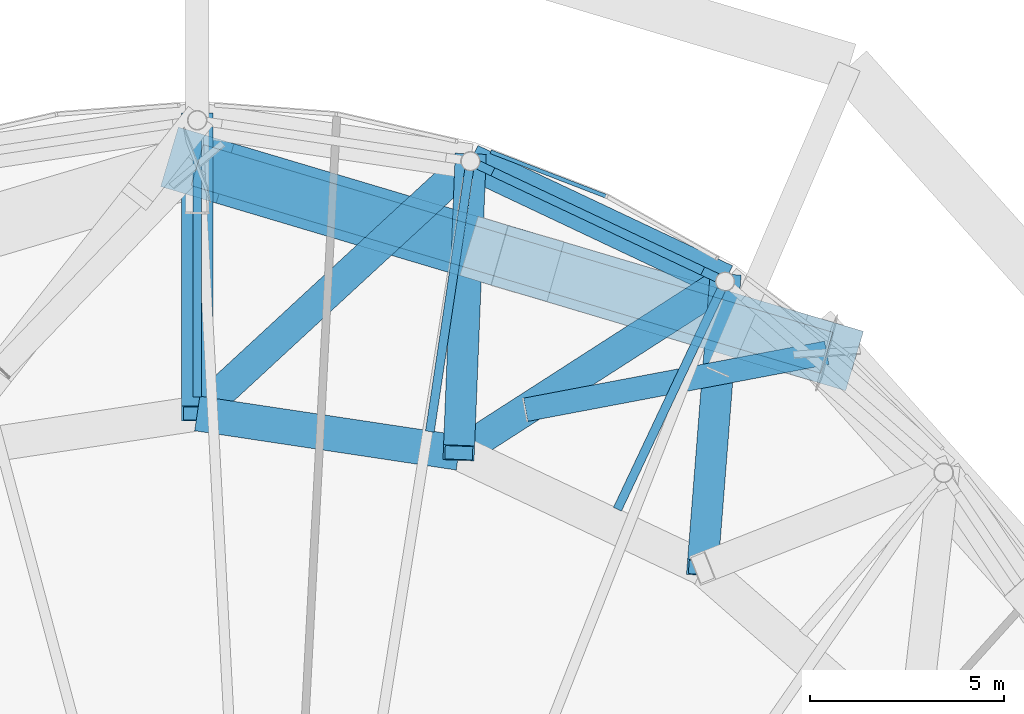
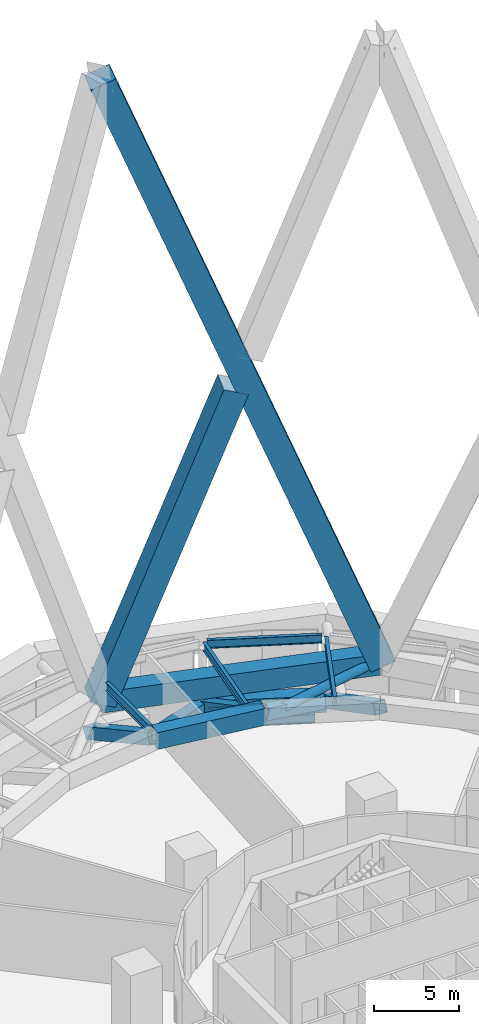
# One storey, part 45 of 65: 12 beams, 5 members, 1 element without a shape of its own.
"""IFC4 building model written with IfcOpenShell, lengths in metres."""

from ifc_helpers import new_model, si_unit, direction, frame, origin, origin_2d, place, context, subcontext, project, spatial, rectangle, hollow_rectangle, hollow_circle, i_section, extrude, material, layer, layer_set, material_profile, profile_set, type_object, element, aggregate, save


model = new_model("IFC4")

# Units and contexts
model_context = context("Model", 3, precision=1e-05, world=origin(), true_north=direction((0.0, 1.0)))
body_context = subcontext(model_context, "Body", "Model", "MODEL_VIEW")
ifc_project = project(units=[si_unit("LENGTHUNIT", "METRE"), si_unit("AREAUNIT", "SQUARE_METRE"), si_unit("VOLUMEUNIT", "CUBIC_METRE"), si_unit("PLANEANGLEUNIT", "RADIAN"), si_unit("MASSUNIT", "GRAM", prefix="KILO")], contexts=[model_context])

# Site, building, storey
site_placement = place(None, origin())
site = spatial("IfcSite", under=ifc_project, at=site_placement, CompositionType="ELEMENT")
building_placement = place(site_placement, origin())
building = spatial("IfcBuilding", under=site, at=building_placement, Name="Nagisa Residences", CompositionType="ELEMENT")
storey_placement = place(building_placement, frame((0.0, 0.0, 114.0)))
storey = spatial("IfcBuildingStorey", under=building, at=storey_placement, Name="L28", CompositionType="ELEMENT", Elevation=114.0)

# Beams
ifc_material_1 = material(Name="Steel ASTM A572 Gr 50", Category="steel")
ifc_material_profile_1 = material_profile(ifc_material_1, hollow_rectangle(XDim=0.89990234375, YDim=1.199951171875, WallThickness=0.050048828125, at=origin_2d()), Name="BX 900x1200x50")
ifc_profile_set_1 = profile_set([ifc_material_profile_1], Name="Steel ASTM A572 Gr 50")
beam_type_1 = type_object("IfcBeamType", Name="Belt chord 2 BX 900x1200x50", PredefinedType="BEAM", material=ifc_profile_set_1)
beam_1_placement = place(storey_placement, frame((11.797607421875, 29.9775390625, 0.60009765625), z_axis=(-0.904193048846, 0.427124022292, 0.0), x_axis=(-0.427124022292, -0.904193048846, 0.0)))
element("IfcBeam", 1, at=beam_1_placement, inside=storey, type_object=beam_type_1, Name="beam:L28:bt2b05", PredefinedType="BEAM", context=body_context, shape_type="SweptSolid", body=[
    extrude(hollow_rectangle(XDim=0.89990234375, YDim=1.199951171875, WallThickness=0.050048828125, at=origin_2d()), origin(), (0.0, 0.0, 1.0), 7.254150390625),
])
beam_2_placement = place(storey_placement, frame((4.938232421875, 25.5654296875, 4.739990234375), z_axis=(-0.988910056119, 0.14851565879, 0.0), x_axis=(-0.14851565879, -0.988910056119, 0.0)))
element("IfcBeam", 2, at=beam_2_placement, inside=storey, type_object=beam_type_1, Name="beam:L28:bt2t06", PredefinedType="BEAM", context=body_context, shape_type="SweptSolid", body=[
    extrude(hollow_rectangle(XDim=0.89990234375, YDim=1.199951171875, WallThickness=0.050048828125, at=origin_2d()), origin(), (0.0, 0.0, 1.0), 6.81396484375),
])
ifc_material_2 = material(Name="Steel ASTM A572 Gr 50", Category="steel")
ifc_material_profile_2 = material_profile(ifc_material_2, hollow_rectangle(XDim=0.800048828125, YDim=0.800048828125, WallThickness=0.044921875, at=origin_2d()), Name="BX 800x800x45")
ifc_profile_set_2 = profile_set([ifc_material_profile_2], Name="Steel ASTM A572 Gr 50")
beam_type_2 = type_object("IfcBeamType", Name="Belt diagonal 2 BX 800x800x45", PredefinedType="BEAM", material=ifc_profile_set_2)
beam_3_placement = place(storey_placement, frame((11.797607421875, 29.9775390625, 0.60009765625), z_axis=(-0.068400942294, -0.870068046701, 0.488162785558), x_axis=(0.996924042545, -0.078373805548, 0.0)))
element("IfcBeam", 3, at=beam_3_placement, inside=storey, type_object=beam_type_2, Name="beam:L28:bt2da05", PredefinedType="BEAM", context=body_context, shape_type="SweptSolid", body=[
    extrude(hollow_rectangle(XDim=0.800048828125, YDim=0.800048828125, WallThickness=0.044921875, at=origin_2d()), origin(), (0.0, 0.0, 1.0), 8.48046875),
])
beam_4_placement = place(storey_placement, frame((11.797607421875, 29.9775390625, 0.60009765625), z_axis=(-0.749954375746, -0.482388079388, 0.452625866654), x_axis=(0.540975435478, -0.841038392827, 0.0)))
element("IfcBeam", 4, at=beam_4_placement, inside=storey, type_object=beam_type_2, Name="beam:L28:bt2db05", PredefinedType="BEAM", context=body_context, shape_type="SweptSolid", body=[
    extrude(hollow_rectangle(XDim=0.800048828125, YDim=0.800048828125, WallThickness=0.044921875, at=origin_2d()), origin(), (0.0, 0.0, 1.0), 9.146484375),
])
beam_5_placement = place(storey_placement, frame((5.238525390625, 33.075927734375, 0.60009765625), z_axis=(-0.034994411211, -0.875230139904, 0.482439212117), x_axis=(0.999201633097, -0.039951175396, 0.0)))
element("IfcBeam", 5, at=beam_5_placement, inside=storey, type_object=beam_type_2, Name="beam:L28:bt2da06", PredefinedType="BEAM", context=body_context, shape_type="SweptSolid", body=[
    extrude(hollow_rectangle(XDim=0.800048828125, YDim=0.800048828125, WallThickness=0.044921875, at=origin_2d()), origin(), (0.0, 0.0, 1.0), 8.5810546875),
])
beam_6_placement = place(storey_placement, frame((5.238525390625, 33.075927734375, 0.60009765625), z_axis=(-0.67444793495, -0.622700490201, 0.396691419804), x_axis=(0.678358426429, -0.7347311381, 0.0)))
element("IfcBeam", 6, at=beam_6_placement, inside=storey, type_object=beam_type_2, Name="beam:L28:bt2db06", PredefinedType="BEAM", context=body_context, shape_type="SweptSolid", body=[
    extrude(hollow_rectangle(XDim=0.800048828125, YDim=0.800048828125, WallThickness=0.044921875, at=origin_2d()), origin(), (0.0, 0.0, 1.0), 10.43603515625),
])
beam_7_placement = place(storey_placement, frame((-1.800048828125, 34.1328125, 0.60009765625), z_axis=(0.0, -0.876978848051, 0.480528979429), x_axis=(1.0, 0.0, 0.0)))
element("IfcBeam", 7, at=beam_7_placement, inside=storey, type_object=beam_type_2, Name="beam:L28:bt2da07", PredefinedType="BEAM", context=body_context, shape_type="SweptSolid", body=[
    extrude(hollow_rectangle(XDim=0.800048828125, YDim=0.800048828125, WallThickness=0.044921875, at=origin_2d()), origin(), (0.0, 0.0, 1.0), 8.615234375),
])

# Curtain wall, member
ifc_material_3 = material(Name="Aluminium curtain wall system", Category="aluminium")
ifc_layer = layer(ifc_material_3, 0.159912109375)
ifc_layer_set = layer_set([ifc_layer], Name="CW5 CURTAIN WALL")
curtain_wall_type = type_object("IfcCurtainWallType", Name="CW5 CURTAIN WALL", PredefinedType="NOTDEFINED", material=ifc_layer_set)
curtain_wall_placement = place(storey_placement, origin())
curtain_wall = element("IfcCurtainWall", 8, at=curtain_wall_placement, inside=storey, type_object=curtain_wall_type, Name="cw:CW5:L28:09", PredefinedType="NOTDEFINED")
ifc_material_4 = material(Name="Aluminium", Category="aluminium")
ifc_material_profile_3 = material_profile(ifc_material_4, rectangle(XDim=0.10009765625, YDim=0.1201171875, at=origin_2d()), Name="CW5 TRANSOM 100x120")
ifc_profile_set_3 = profile_set([ifc_material_profile_3], Name="Aluminium")
member_type_1 = type_object("IfcMemberType", Name="CW5 TRANSOM 100x120", PredefinedType="USERDEFINED", material=ifc_profile_set_3)
member_1_placement = place(storey_placement, frame((8.76953125, 32.1591796875, 0.06005859375), z_axis=(-0.932829920428, 0.360316998702, 0.0), x_axis=(-0.360316998702, -0.932829920428, 0.0)))
member_1 = element("IfcMember", 9, at=member_1_placement, type_object=member_type_1, Name="CW5 transom", ObjectType="TRANSOM", PredefinedType="USERDEFINED", context=body_context, shape_type="SweptSolid", body=[
    extrude(rectangle(XDim=0.10009765625, YDim=0.1201171875, at=origin_2d()), origin(), (0.0, 0.0, 1.0), 3.227294921875),
])
aggregate(curtain_wall, [member_1])

# Members
ifc_material_5 = material(Name="Concrete C80", Category="concrete")
ifc_material_profile_4 = material_profile(ifc_material_5, rectangle(XDim=1.60009765625, YDim=1.60009765625, at=origin_2d()), Name="C80 1600x1600")
ifc_profile_set_4 = profile_set([ifc_material_profile_4], Name="Concrete C80")
member_type_2 = type_object("IfcMemberType", Name="Cage diagonal 3 C80 1600x1600", PredefinedType="BRACE", material=ifc_profile_set_4)
member_2_placement = place(storey_placement, frame((14.41748046875, 28.1416015625, 3.699951171875), z_axis=(-0.340638088742, 0.101570425034, 0.93469200342), x_axis=(-0.285744691448, -0.958305781736, 0.0)))
element("IfcMember", 10, at=member_2_placement, inside=storey, type_object=member_type_2, Name="mem:L28:cg3d005", PredefinedType="BRACE", context=body_context, shape_type="SweptSolid", body=[
    extrude(rectangle(XDim=1.60009765625, YDim=1.60009765625, at=origin_2d()), origin(), (0.0, 0.0, 1.0), 47.609375),
])
member_3_placement = place(storey_placement, frame((-1.800048828125, 32.977294921875, 3.699951171875), z_axis=(0.340639402424, -0.101570160833, 0.934691553372), x_axis=(0.285742996868, 0.958306287019, 0.0)))
element("IfcMember", 11, at=member_3_placement, inside=storey, type_object=member_type_2, Name="mem:L28:cg3d006a", PredefinedType="BRACE", context=body_context, shape_type="SweptSolid", body=[
    extrude(rectangle(XDim=1.60009765625, YDim=1.60009765625, at=origin_2d()), origin(), (0.0, 0.0, 1.0), 22.620849609375),
])
ifc_material_6 = material(Name="Concrete C80", Category="concrete")
ifc_material_profile_5 = material_profile(ifc_material_6, rectangle(XDim=1.10009765625, YDim=1.5, at=origin_2d()), Name="C80 1100x1500")
ifc_profile_set_5 = profile_set([ifc_material_profile_5], Name="Concrete C80")
member_type_3 = type_object("IfcMemberType", Name="Cage ring 3 C80 1100x1500", PredefinedType="CHORD", material=ifc_profile_set_5)
member_4_placement = place(storey_placement, frame((14.41748046875, 28.1416015625, 3.699951171875), z_axis=(-0.958305781736, 0.285744691448, 0.0), x_axis=(-0.285744691448, -0.958305781736, 0.0)))
element("IfcMember", 12, at=member_4_placement, inside=storey, type_object=member_type_3, Name="beam:L28:cg3r003", PredefinedType="CHORD", context=body_context, shape_type="SweptSolid", body=[
    extrude(rectangle(XDim=1.10009765625, YDim=1.5, at=origin_2d()), origin(), (0.0, 0.0, 1.0), 16.923095703125),
])
ifc_material_7 = material(Name="Steel ASTM A572 Gr 65", Category="steel")
ifc_material_profile_6 = material_profile(ifc_material_7, hollow_circle(Radius=0.304931640625, WallThickness=0.02490234375, at=origin_2d()), Name="CHS 610x25")
ifc_profile_set_6 = profile_set([ifc_material_profile_6], Name="Steel ASTM A572 Gr 65")
member_type_4 = type_object("IfcMemberType", Name="Cage strut CHS 610x25", PredefinedType="STRUT", material=ifc_profile_set_6)
member_5_placement = place(storey_placement, frame((14.41748046875, 28.1416015625, 3.699951171875), z_axis=(-0.982560931078, -0.185940895768, 0.0), x_axis=(0.185940895768, -0.982560931078, 0.0)))
element("IfcMember", 13, at=member_5_placement, inside=storey, type_object=member_type_4, Name="mem:L28:bt2st3b03", PredefinedType="STRUT", context=body_context, shape_type="SweptSolid", body=[
    extrude(hollow_circle(Radius=0.304931640625, WallThickness=0.02490234375, at=origin_2d()), origin(), (0.0, 0.0, 1.0), 7.893798828125),
])

# Beams
ifc_material_8 = material(Name="Steel ASTM A572 Gr 50", Category="steel")
ifc_material_profile_7 = material_profile(ifc_material_8, i_section(OverallWidth=0.22802734375, OverallDepth=0.60302734375, WebThickness=0.010498046875, FlangeThickness=0.014892578125, at=origin_2d()), Name="W610x101")
ifc_profile_set_7 = profile_set([ifc_material_profile_7], Name="Steel ASTM A572 Gr 50")
beam_type_3 = type_object("IfcBeamType", Name="Garden edge beam W610x101", PredefinedType="BEAM", material=ifc_profile_set_7)
beam_8_placement = place(storey_placement, frame((11.5859375, 30.077392578125, 5.03857421875), z_axis=(-0.904191528317, 0.427127241134, 0.0), x_axis=(-0.427127241134, -0.904191528317, 0.0)))
element("IfcBeam", 14, at=beam_8_placement, inside=storey, type_object=beam_type_3, Name="beam:L28:bt2ge05", PredefinedType="BEAM", context=body_context, shape_type="SweptSolid", body=[
    extrude(i_section(OverallWidth=0.22802734375, OverallDepth=0.60302734375, WebThickness=0.010498046875, FlangeThickness=0.014892578125, at=origin_2d()), origin(), (0.0, 0.0, 1.0), 6.785888671875),
])
ifc_material_9 = material(Name="Steel ASTM A572 Gr 50", Category="steel")
ifc_material_profile_8 = material_profile(ifc_material_9, i_section(OverallWidth=0.22802734375, OverallDepth=0.60302734375, WebThickness=0.010498046875, FlangeThickness=0.014892578125, at=origin_2d()), Name="W610x101")
ifc_profile_set_8 = profile_set([ifc_material_profile_8], Name="Steel ASTM A572 Gr 50")
beam_type_4 = type_object("IfcBeamType", Name="Garden radial beam W610x101", PredefinedType="BEAM", material=ifc_profile_set_8)
beam_9_placement = place(storey_placement, frame((11.697509765625, 29.765869140625, 5.03857421875), z_axis=(-0.427181820924, -0.904165743585, 0.0), x_axis=(0.904165743585, -0.427181820924, 0.0)))
element("IfcBeam", 15, at=beam_9_placement, inside=storey, type_object=beam_type_4, Name="beam:L28:bt2gr05", PredefinedType="BEAM", context=body_context, shape_type="SweptSolid", body=[
    extrude(i_section(OverallWidth=0.22802734375, OverallDepth=0.60302734375, WebThickness=0.010498046875, FlangeThickness=0.014892578125, at=origin_2d()), origin(), (0.0, 0.0, 1.0), 6.255126953125),
])
beam_10_placement = place(storey_placement, frame((5.203857421875, 32.844482421875, 5.03857421875), z_axis=(-0.148507049727, -0.988911349, 0.0), x_axis=(0.988911349, -0.148507049727, 0.0)))
element("IfcBeam", 16, at=beam_10_placement, inside=storey, type_object=beam_type_4, Name="beam:L28:bt2gr06", PredefinedType="BEAM", context=body_context, shape_type="SweptSolid", body=[
    extrude(i_section(OverallWidth=0.22802734375, OverallDepth=0.60302734375, WebThickness=0.010498046875, FlangeThickness=0.014892578125, at=origin_2d()), origin(), (0.0, 0.0, 1.0), 6.8076171875),
])
beam_11_placement = place(storey_placement, frame((-1.800048828125, 33.898681640625, 5.03857421875), z_axis=(0.0, -1.0, 0.0), x_axis=(1.0, 0.0, 0.0)))
element("IfcBeam", 17, at=beam_11_placement, inside=storey, type_object=beam_type_4, Name="beam:L28:bt2gr07", PredefinedType="BEAM", context=body_context, shape_type="SweptSolid", body=[
    extrude(i_section(OverallWidth=0.22802734375, OverallDepth=0.60302734375, WebThickness=0.010498046875, FlangeThickness=0.014892578125, at=origin_2d()), origin(), (0.0, 0.0, 1.0), 6.891357421875),
])
ifc_material_10 = material(Name="Steel ASTM A572 Gr 50", Category="steel")
ifc_material_profile_9 = material_profile(ifc_material_10, i_section(OverallWidth=0.22900390625, OverallDepth=0.612060546875, WebThickness=0.011962890625, FlangeThickness=0.01953125, at=origin_2d()), Name="W610x125")
ifc_profile_set_9 = profile_set([ifc_material_profile_9], Name="Steel ASTM A572 Gr 50")
beam_type_5 = type_object("IfcBeamType", Name="Perimeter ring beam W610x125", PredefinedType="BEAM", material=ifc_profile_set_9)
beam_12_placement = place(storey_placement, frame((11.22216796875, 30.249267578125, -0.656005859375), z_axis=(-0.904196975776, 0.427115709144, 0.0), x_axis=(-0.427115709144, -0.904196975776, 0.0)))
element("IfcBeam", 18, at=beam_12_placement, inside=storey, type_object=beam_type_5, Name="beam:L28:pb05", PredefinedType="BEAM", context=body_context, shape_type="SweptSolid", body=[
    extrude(i_section(OverallWidth=0.22900390625, OverallDepth=0.612060546875, WebThickness=0.011962890625, FlangeThickness=0.01953125, at=origin_2d()), origin(), (0.0, 0.0, 1.0), 5.980712890625),
])

save(model, "model.ifc")
